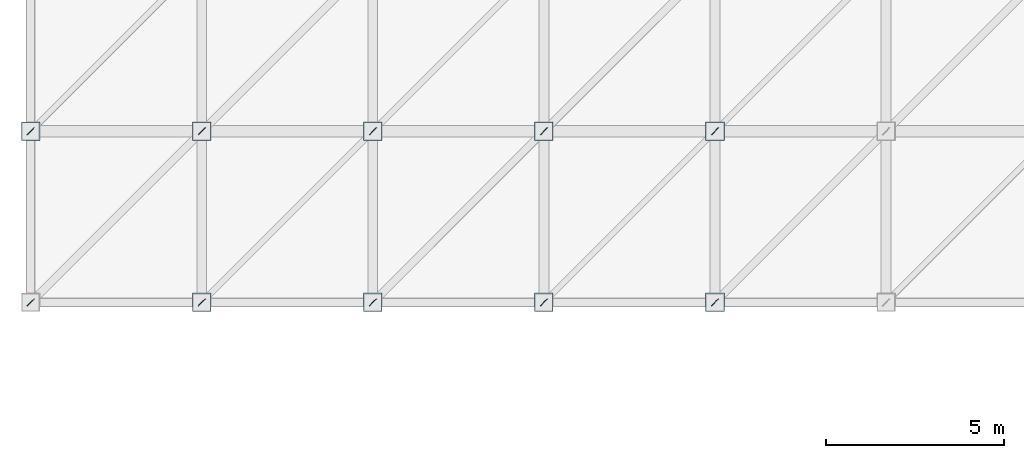
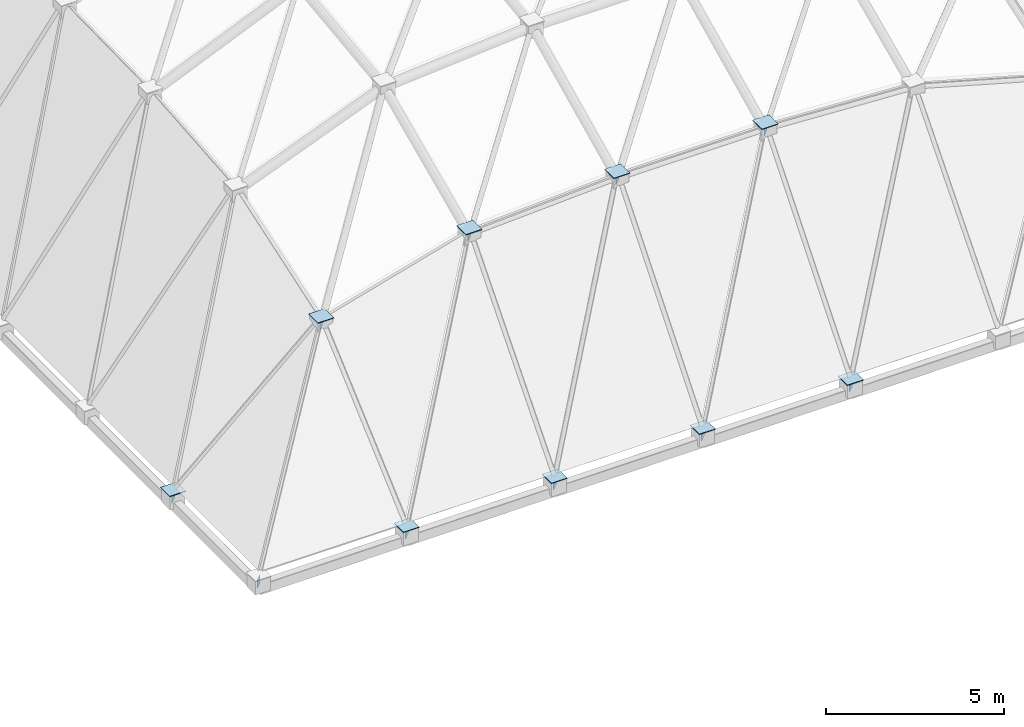
# One storey, part 41 of 70: 19 plates.
"""IFC4 building model written with IfcOpenShell, lengths in metres."""

from ifc_helpers import new_model, si_unit, direction, frame, origin, origin_2d, place, context, subcontext, project, spatial, rectangle, extrude, material, layer, layer_set, type_object, element, save


model = new_model("IFC4")

# Units and contexts
model_context = context("Model", 3, precision=1e-05, world=origin(), true_north=direction((0.0, 1.0)))
body_context = subcontext(model_context, "Body", "Model", "MODEL_VIEW")
ifc_project = project(units=[si_unit("LENGTHUNIT", "METRE"), si_unit("AREAUNIT", "SQUARE_METRE"), si_unit("VOLUMEUNIT", "CUBIC_METRE"), si_unit("PLANEANGLEUNIT", "RADIAN"), si_unit("MASSUNIT", "GRAM", prefix="KILO")], contexts=[model_context])

# Site, building, storey
site_placement = place(None, origin())
site = spatial("IfcSite", under=ifc_project, at=site_placement, CompositionType="ELEMENT")
building_placement = place(site_placement, origin())
building = spatial("IfcBuilding", under=site, at=building_placement, Name="Mavantir Sound Aquarium", CompositionType="ELEMENT")
storey_placement = place(building_placement, frame((0.0, 0.0, 27.0)))
storey = spatial("IfcBuildingStorey", under=building, at=storey_placement, Name="RF", CompositionType="ELEMENT", Elevation=27.0)

# Plates
ifc_material = material(Name="Structural Steel ASTM A572 Gr50", Category="steel")
ifc_layer_1 = layer(ifc_material, 0.01611328125, Name="Structural Steel ASTM A572 Gr50")
ifc_layer_set_1 = layer_set([ifc_layer_1], Name="Structural Steel ASTM A572 Gr50")
plate_type_1 = type_object("IfcPlateType", Name="PLT-GUSSET-16", PredefinedType="SHEET", material=ifc_layer_set_1)
for number, where, z_axis, x_axis, name in (
    (1, (0.0, 40.800048828125, -7.33984375), (0.0, 0.0, 1.0), (0.707106781187, 0.707106781187, 0.0), "Brace end gusset plate GP-01 1"),
    (2, (4.800048828125, 45.60009765625, -3.07861328125), (0.0, 0.0, 1.0), (0.707106781187, 0.707106781187, 0.0), "Brace end gusset plate GP-01 2"),
    (3, (0.0, 45.60009765625, -7.33984375), (0.0, 0.0, 1.0), (0.707106781187, 0.707106781187, 0.0), "Brace end gusset plate GP-01 3"),
    (4, (4.800048828125, 40.800048828125, -7.33984375), (0.0, 0.0, 1.0), (0.707106781187, 0.707106781187, 0.0), "Brace end gusset plate GP-01 17"),
    (5, (9.60009765625, 45.60009765625, -1.72900390625), (0.0, 0.0, 1.0), (0.707106781187, 0.707106781187, 0.0), "Brace end gusset plate GP-01 18"),
    (6, (9.60009765625, 40.800048828125, -7.33984375), (0.0, 0.0, 1.0), (0.707106781187, 0.707106781187, 0.0), "Brace end gusset plate GP-01 26"),
    (7, (14.39990234375, 45.60009765625, -1.4755859375), (0.0, 0.0, 1.0), (0.707106781187, 0.707106781187, 0.0), "Brace end gusset plate GP-01 27"),
    (8, (14.39990234375, 40.800048828125, -7.33984375), (0.0, 0.0, 1.0), (0.707106781187, 0.707106781187, 0.0), "Brace end gusset plate GP-01 35"),
    (9, (19.199951171875, 45.60009765625, -1.4755859375), (0.0, 0.0, 1.0), (0.707106781187, 0.707106781187, 0.0), "Brace end gusset plate GP-01 36"),
    (10, (19.199951171875, 40.800048828125, -7.33984375), (0.0, 0.0, 1.0), (0.707106781187, 0.707106781187, 0.0), "Brace end gusset plate GP-01 44"),
):
    element("IfcPlate", number, at=place(storey_placement, frame(where, z_axis=z_axis, x_axis=x_axis)), inside=storey, type_object=plate_type_1, Name=name, PredefinedType="SHEET", context=body_context, shape_type="SweptSolid", body=[
        extrude(rectangle(XDim=0.280029296875, YDim=0.01611328125, at=origin_2d()), origin(), (0.0, 0.0, 1.0), 0.280029296875),
    ])
ifc_layer_2 = layer(ifc_material, 0.02490234375, Name="Structural Steel ASTM A572 Gr50")
ifc_layer_set_2 = layer_set([ifc_layer_2], Name="Structural Steel ASTM A572 Gr50")
plate_type_2 = type_object("IfcPlateType", Name="PLT-NODE-25", PredefinedType="SHEET", material=ifc_layer_set_2)
for number, where, z_axis, x_axis, name in (
    (11, (0.0, 45.60009765625, -6.972412109375), (0.0, 0.0, 1.0), (1.0, 0.0, 0.0), "Gridshell steel node cap plate NP-02"),
    (12, (4.800048828125, 40.800048828125, -6.972412109375), (0.0, 0.0, 1.0), (1.0, 0.0, 0.0), "Gridshell steel node cap plate NP-10"),
    (13, (4.800048828125, 45.60009765625, -2.711181640625), (0.0, 0.0, 1.0), (1.0, 0.0, 0.0), "Gridshell steel node cap plate NP-11"),
    (14, (9.60009765625, 40.800048828125, -6.972412109375), (0.0, 0.0, 1.0), (1.0, 0.0, 0.0), "Gridshell steel node cap plate NP-19"),
    (15, (9.60009765625, 45.60009765625, -1.361572265625), (0.0, 0.0, 1.0), (1.0, 0.0, 0.0), "Gridshell steel node cap plate NP-20"),
    (16, (14.39990234375, 40.800048828125, -6.972412109375), (0.0, 0.0, 1.0), (1.0, 0.0, 0.0), "Gridshell steel node cap plate NP-28"),
    (17, (14.39990234375, 45.60009765625, -1.108154296875), (0.0, 0.0, 1.0), (1.0, 0.0, 0.0), "Gridshell steel node cap plate NP-29"),
    (18, (19.199951171875, 40.800048828125, -6.972412109375), (0.0, 0.0, 1.0), (1.0, 0.0, 0.0), "Gridshell steel node cap plate NP-37"),
    (19, (19.199951171875, 45.60009765625, -1.108154296875), (0.0, 0.0, 1.0), (1.0, 0.0, 0.0), "Gridshell steel node cap plate NP-38"),
):
    element("IfcPlate", number, at=place(storey_placement, frame(where, z_axis=z_axis, x_axis=x_axis)), inside=storey, type_object=plate_type_2, Name=name, PredefinedType="SHEET", context=body_context, shape_type="SweptSolid", body=[
        extrude(rectangle(XDim=0.52001953125, YDim=0.52001953125, at=origin_2d()), origin(), (0.0, 0.0, 1.0), 0.02490234375),
    ])

save(model, "model.ifc")
